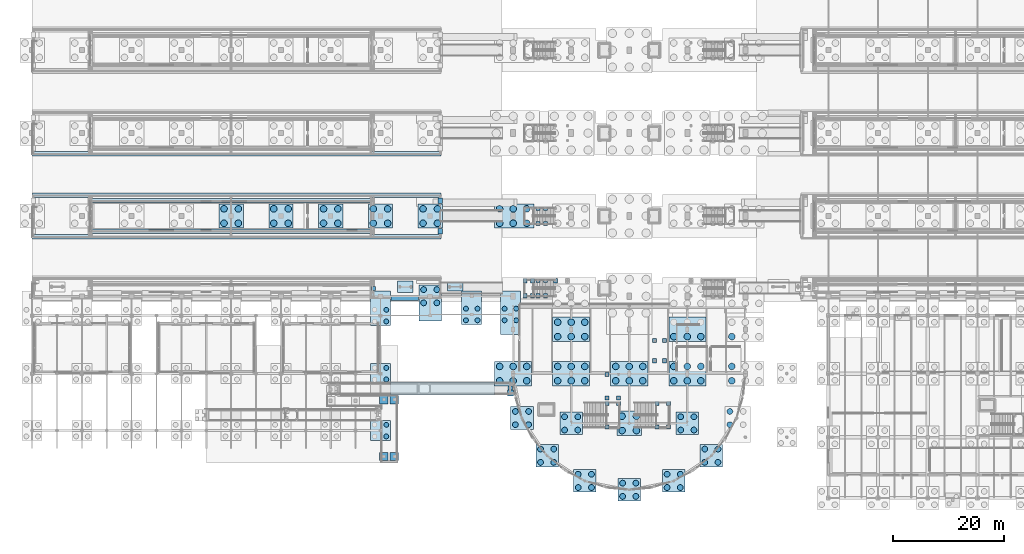
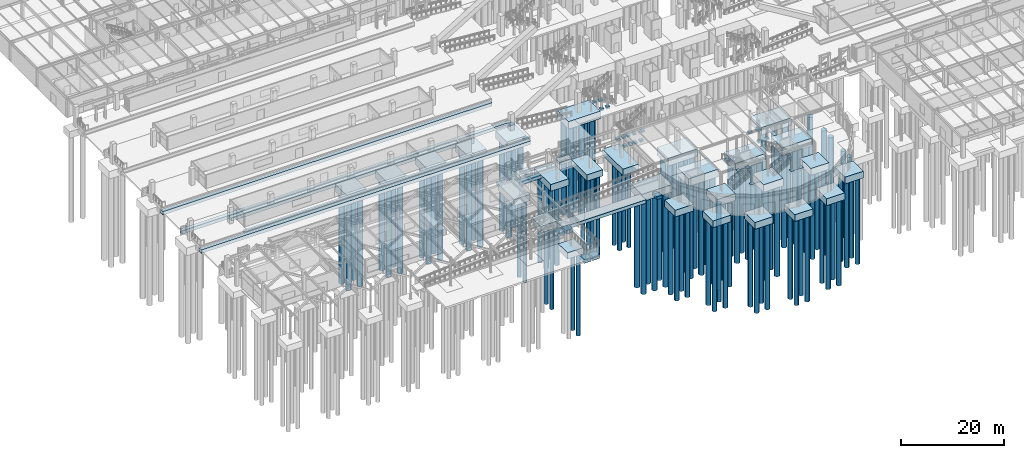
# One storey, part 2 of 160: 118 piles, 72 footings.
"""IFC4 building model written with IfcOpenShell, lengths in metres."""

from ifc_helpers import new_model, si_unit, direction, frame, origin, origin_2d, place, context, subcontext, project, spatial, rectangle, circle, extrude, material, material_profile, profile_set, type_object, element, save


model = new_model("IFC4")

# Units and contexts
model_context = context("Model", 3, precision=1e-05, world=origin(), true_north=direction((0.0, 1.0)))
body_context = subcontext(model_context, "Body", "Model", "MODEL_VIEW")
ifc_project = project(units=[si_unit("LENGTHUNIT", "METRE"), si_unit("AREAUNIT", "SQUARE_METRE"), si_unit("VOLUMEUNIT", "CUBIC_METRE"), si_unit("PLANEANGLEUNIT", "RADIAN"), si_unit("MASSUNIT", "GRAM", prefix="KILO")], contexts=[model_context])

# Site, building, storey
site_placement = place(None, origin())
site = spatial("IfcSite", under=ifc_project, at=site_placement, CompositionType="ELEMENT")
building_placement = place(site_placement, origin())
building = spatial("IfcBuilding", under=site, at=building_placement, Name="Marlcrest Central Station", CompositionType="ELEMENT")
storey_placement = place(building_placement, origin())
storey = spatial("IfcBuildingStorey", under=building, at=storey_placement, Name="L00", CompositionType="ELEMENT", Elevation=0.0)

# Piles
ifc_material_1 = material(Name="Concrete C35/45", Category="concrete")
ifc_material_profile_1 = material_profile(ifc_material_1, circle(Radius=0.449951171875, at=origin_2d()), Name="PILE D900")
ifc_profile_set_1 = profile_set([ifc_material_profile_1], Name="Concrete C35/45")
pile_type_1 = type_object("IfcPileType", Name="BP-02", PredefinedType="BORED", material=ifc_profile_set_1)
for number, where, z_axis, x_axis, name in (
    (1, (64.050048828125, 21.449951171875, -1.39990234375), (0.0, 0.0, -1.0), (1.0, 0.0, 0.0), "pile-BP-02-0412"),
    (2, (64.050048828125, 23.550048828125, -1.39990234375), (0.0, 0.0, -1.0), (1.0, 0.0, 0.0), "pile-BP-02-0414"),
    (3, (64.050048828125, 31.949951171875, -1.39990234375), (0.0, 0.0, -1.0), (1.0, 0.0, 0.0), "pile-BP-02-0416"),
    (4, (64.050048828125, 34.050048828125, -1.39990234375), (0.0, 0.0, -1.0), (1.0, 0.0, 0.0), "pile-BP-02-0418"),
    (5, (64.050048828125, 11.14990234375, -1.39990234375), (0.0, 0.0, -1.0), (1.0, 0.0, 0.0), "pile-BP-02-0420"),
    (6, (64.050048828125, 13.25, -1.39990234375), (0.0, 0.0, -1.0), (1.0, 0.0, 0.0), "pile-BP-02-0422"),
    (7, (78.449951171875, 32.14990234375, -1.39990234375), (0.0, 0.0, -1.0), (1.0, 0.0, 0.0), "pile-BP-02-0697"),
    (8, (80.550048828125, 32.14990234375, -1.39990234375), (0.0, 0.0, -1.0), (1.0, 0.0, 0.0), "pile-BP-02-0698"),
    (9, (78.449951171875, 34.25, -1.39990234375), (0.0, 0.0, -1.0), (1.0, 0.0, 0.0), "pile-BP-02-0699"),
    (10, (80.550048828125, 34.25, -1.39990234375), (0.0, 0.0, -1.0), (1.0, 0.0, 0.0), "pile-BP-02-0700"),
    (11, (85.449951171875, 32.14990234375, -1.39990234375), (0.0, 0.0, -1.0), (1.0, 0.0, 0.0), "pile-BP-02-0701"),
    (12, (87.550048828125, 32.14990234375, -1.39990234375), (0.0, 0.0, -1.0), (1.0, 0.0, 0.0), "pile-BP-02-0702"),
    (13, (85.449951171875, 34.25, -1.39990234375), (0.0, 0.0, -1.0), (1.0, 0.0, 0.0), "pile-BP-02-0703"),
    (14, (87.550048828125, 34.25, -1.39990234375), (0.0, 0.0, -1.0), (1.0, 0.0, 0.0), "pile-BP-02-0704"),
):
    element("IfcPile", number, at=place(storey_placement, frame(where, z_axis=z_axis, x_axis=x_axis)), inside=storey, type_object=pile_type_1, Name=name, PredefinedType="BORED", context=body_context, shape_type="SweptSolid", body=[
        extrude(circle(Radius=0.449951171875, at=origin_2d()), origin(), (0.0, 0.0, 1.0), 19.5),
    ])
ifc_material_profile_2 = material_profile(ifc_material_1, circle(Radius=0.52490234375, at=origin_2d()), Name="PILE D1050")
ifc_profile_set_2 = profile_set([ifc_material_profile_2], Name="Concrete C35/45")
pile_type_2 = type_object("IfcPileType", Name="BP-03", PredefinedType="BORED", material=ifc_profile_set_2)
for number, where, z_axis, x_axis, name in (
    (15, (70.800048828125, 35.300048828125, -1.5), (0.0, 0.0, -1.0), (1.0, 0.0, 0.0), "pile-BP-03-0535"),
    (16, (73.199951171875, 35.300048828125, -1.5), (0.0, 0.0, -1.0), (1.0, 0.0, 0.0), "pile-BP-03-0536"),
    (17, (70.800048828125, 37.699951171875, -1.5), (0.0, 0.0, -1.0), (1.0, 0.0, 0.0), "pile-BP-03-0537"),
    (18, (73.199951171875, 37.699951171875, -1.5), (0.0, 0.0, -1.0), (1.0, 0.0, 0.0), "pile-BP-03-0538"),
    (19, (87.39892578125, 13.263916015625, -1.5), (0.0, 0.0, -1.0), (1.0, 0.0, 0.0), "pile-BP-03-0966"),
    (20, (89.799072265625, 13.263916015625, -1.5), (0.0, 0.0, -1.0), (1.0, 0.0, 0.0), "pile-BP-03-0967"),
    (21, (87.39892578125, 15.6640625, -1.5), (0.0, 0.0, -1.0), (1.0, 0.0, 0.0), "pile-BP-03-0968"),
    (22, (89.799072265625, 15.6640625, -1.5), (0.0, 0.0, -1.0), (1.0, 0.0, 0.0), "pile-BP-03-0969"),
    (23, (91.950927734375, 6.450927734375, -1.5), (0.0, 0.0, -1.0), (1.0, 0.0, 0.0), "pile-BP-03-0970"),
    (24, (94.35107421875, 6.450927734375, -1.5), (0.0, 0.0, -1.0), (1.0, 0.0, 0.0), "pile-BP-03-0971"),
    (25, (91.950927734375, 8.85107421875, -1.5), (0.0, 0.0, -1.0), (1.0, 0.0, 0.0), "pile-BP-03-0972"),
    (26, (94.35107421875, 8.85107421875, -1.5), (0.0, 0.0, -1.0), (1.0, 0.0, 0.0), "pile-BP-03-0973"),
    (27, (98.763916015625, 1.89892578125, -1.5), (0.0, 0.0, -1.0), (1.0, 0.0, 0.0), "pile-BP-03-0974"),
    (28, (101.1640625, 1.89892578125, -1.5), (0.0, 0.0, -1.0), (1.0, 0.0, 0.0), "pile-BP-03-0975"),
    (29, (98.763916015625, 4.299072265625, -1.5), (0.0, 0.0, -1.0), (1.0, 0.0, 0.0), "pile-BP-03-0976"),
    (30, (101.1640625, 4.299072265625, -1.5), (0.0, 0.0, -1.0), (1.0, 0.0, 0.0), "pile-BP-03-0977"),
    (31, (106.800048828125, 0.300048828125, -1.5), (0.0, 0.0, -1.0), (1.0, 0.0, 0.0), "pile-BP-03-0978"),
    (32, (109.199951171875, 0.300048828125, -1.5), (0.0, 0.0, -1.0), (1.0, 0.0, 0.0), "pile-BP-03-0979"),
    (33, (106.800048828125, 2.699951171875, -1.5), (0.0, 0.0, -1.0), (1.0, 0.0, 0.0), "pile-BP-03-0980"),
    (34, (109.199951171875, 2.699951171875, -1.5), (0.0, 0.0, -1.0), (1.0, 0.0, 0.0), "pile-BP-03-0981"),
    (35, (114.8359375, 1.89892578125, -1.5), (0.0, 0.0, -1.0), (1.0, 0.0, 0.0), "pile-BP-03-0982"),
    (36, (117.236083984375, 1.89892578125, -1.5), (0.0, 0.0, -1.0), (1.0, 0.0, 0.0), "pile-BP-03-0983"),
    (37, (114.8359375, 4.299072265625, -1.5), (0.0, 0.0, -1.0), (1.0, 0.0, 0.0), "pile-BP-03-0984"),
    (38, (117.236083984375, 4.299072265625, -1.5), (0.0, 0.0, -1.0), (1.0, 0.0, 0.0), "pile-BP-03-0985"),
    (39, (121.64892578125, 6.450927734375, -1.5), (0.0, 0.0, -1.0), (1.0, 0.0, 0.0), "pile-BP-03-0986"),
    (40, (124.049072265625, 6.450927734375, -1.5), (0.0, 0.0, -1.0), (1.0, 0.0, 0.0), "pile-BP-03-0987"),
    (41, (121.64892578125, 8.85107421875, -1.5), (0.0, 0.0, -1.0), (1.0, 0.0, 0.0), "pile-BP-03-0988"),
    (42, (124.049072265625, 8.85107421875, -1.5), (0.0, 0.0, -1.0), (1.0, 0.0, 0.0), "pile-BP-03-0989"),
    (43, (126.200927734375, 13.263916015625, -1.5), (0.0, 0.0, -1.0), (1.0, 0.0, 0.0), "pile-BP-03-0990"),
    (44, (126.200927734375, 15.6640625, -1.5), (0.0, 0.0, -1.0), (1.0, 0.0, 0.0), "pile-BP-03-0992"),
    (45, (96.300048828125, 12.300048828125, -1.5), (0.0, 0.0, -1.0), (1.0, 0.0, 0.0), "pile-BP-03-0994"),
    (46, (98.699951171875, 12.300048828125, -1.5), (0.0, 0.0, -1.0), (1.0, 0.0, 0.0), "pile-BP-03-0995"),
    (47, (96.300048828125, 14.699951171875, -1.5), (0.0, 0.0, -1.0), (1.0, 0.0, 0.0), "pile-BP-03-0996"),
    (48, (98.699951171875, 14.699951171875, -1.5), (0.0, 0.0, -1.0), (1.0, 0.0, 0.0), "pile-BP-03-0997"),
    (49, (117.300048828125, 12.300048828125, -1.5), (0.0, 0.0, -1.0), (1.0, 0.0, 0.0), "pile-BP-03-1002"),
    (50, (119.699951171875, 12.300048828125, -1.5), (0.0, 0.0, -1.0), (1.0, 0.0, 0.0), "pile-BP-03-1003"),
    (51, (117.300048828125, 14.699951171875, -1.5), (0.0, 0.0, -1.0), (1.0, 0.0, 0.0), "pile-BP-03-1004"),
    (52, (119.699951171875, 14.699951171875, -1.5), (0.0, 0.0, -1.0), (1.0, 0.0, 0.0), "pile-BP-03-1005"),
):
    element("IfcPile", number, at=place(storey_placement, frame(where, z_axis=z_axis, x_axis=x_axis)), inside=storey, type_object=pile_type_2, Name=name, PredefinedType="BORED", context=body_context, shape_type="SweptSolid", body=[
        extrude(circle(Radius=0.52490234375, at=origin_2d()), origin(), (0.0, 0.0, 1.0), 20.5),
    ])
ifc_material_profile_3 = material_profile(ifc_material_1, circle(Radius=0.60009765625, at=origin_2d()), Name="PILE D1200")
ifc_profile_set_3 = profile_set([ifc_material_profile_3], Name="Concrete C35/45")
pile_type_3 = type_object("IfcPileType", Name="BP-04", PredefinedType="BORED", material=ifc_profile_set_3)
for number, where, z_axis, x_axis, name in (
    (53, (34.699951171875, 49.699951171875, -1.699951171875), (0.0, 0.0, -1.0), (1.0, 0.0, 0.0), "pile-BP-04-0479"),
    (54, (37.300048828125, 49.699951171875, -1.699951171875), (0.0, 0.0, -1.0), (1.0, 0.0, 0.0), "pile-BP-04-0480"),
    (55, (34.699951171875, 52.300048828125, -1.699951171875), (0.0, 0.0, -1.0), (1.0, 0.0, 0.0), "pile-BP-04-0481"),
    (56, (37.300048828125, 52.300048828125, -1.699951171875), (0.0, 0.0, -1.0), (1.0, 0.0, 0.0), "pile-BP-04-0482"),
    (57, (43.699951171875, 49.699951171875, -1.699951171875), (0.0, 0.0, -1.0), (1.0, 0.0, 0.0), "pile-BP-04-0493"),
    (58, (46.300048828125, 49.699951171875, -1.699951171875), (0.0, 0.0, -1.0), (1.0, 0.0, 0.0), "pile-BP-04-0494"),
    (59, (43.699951171875, 52.300048828125, -1.699951171875), (0.0, 0.0, -1.0), (1.0, 0.0, 0.0), "pile-BP-04-0495"),
    (60, (46.300048828125, 52.300048828125, -1.699951171875), (0.0, 0.0, -1.0), (1.0, 0.0, 0.0), "pile-BP-04-0496"),
    (61, (52.699951171875, 49.699951171875, -1.699951171875), (0.0, 0.0, -1.0), (1.0, 0.0, 0.0), "pile-BP-04-0507"),
    (62, (55.300048828125, 49.699951171875, -1.699951171875), (0.0, 0.0, -1.0), (1.0, 0.0, 0.0), "pile-BP-04-0508"),
    (63, (52.699951171875, 52.300048828125, -1.699951171875), (0.0, 0.0, -1.0), (1.0, 0.0, 0.0), "pile-BP-04-0509"),
    (64, (55.300048828125, 52.300048828125, -1.699951171875), (0.0, 0.0, -1.0), (1.0, 0.0, 0.0), "pile-BP-04-0510"),
    (65, (61.699951171875, 49.699951171875, -1.699951171875), (0.0, 0.0, -1.0), (1.0, 0.0, 0.0), "pile-BP-04-0521"),
    (66, (64.300048828125, 49.699951171875, -1.699951171875), (0.0, 0.0, -1.0), (1.0, 0.0, 0.0), "pile-BP-04-0522"),
    (67, (61.699951171875, 52.300048828125, -1.699951171875), (0.0, 0.0, -1.0), (1.0, 0.0, 0.0), "pile-BP-04-0523"),
    (68, (64.300048828125, 52.300048828125, -1.699951171875), (0.0, 0.0, -1.0), (1.0, 0.0, 0.0), "pile-BP-04-0524"),
    (69, (70.699951171875, 49.699951171875, -1.699951171875), (0.0, 0.0, -1.0), (1.0, 0.0, 0.0), "pile-BP-04-0539"),
    (70, (73.300048828125, 49.699951171875, -1.699951171875), (0.0, 0.0, -1.0), (1.0, 0.0, 0.0), "pile-BP-04-0540"),
    (71, (70.699951171875, 52.300048828125, -1.699951171875), (0.0, 0.0, -1.0), (1.0, 0.0, 0.0), "pile-BP-04-0541"),
    (72, (73.300048828125, 52.300048828125, -1.699951171875), (0.0, 0.0, -1.0), (1.0, 0.0, 0.0), "pile-BP-04-0542"),
):
    element("IfcPile", number, at=place(storey_placement, frame(where, z_axis=z_axis, x_axis=x_axis)), inside=storey, type_object=pile_type_3, Name=name, PredefinedType="BORED", context=body_context, shape_type="SweptSolid", body=[
        extrude(circle(Radius=0.60009765625, at=origin_2d()), origin(), (0.0, 0.0, 1.0), 21.5),
    ])
for number, where, z_axis, x_axis, name in (
    (73, (84.550048828125, 49.699951171875, -1.699951171875), (0.0, 0.0, -1.0), (1.0, 0.0, 0.0), "pile-BP-04-0707"),
    (74, (87.0, 49.699951171875, -1.699951171875), (0.0, 0.0, -1.0), (1.0, 0.0, 0.0), "pile-BP-04-0708"),
    (75, (89.449951171875, 49.699951171875, -1.699951171875), (0.0, 0.0, -1.0), (1.0, 0.0, 0.0), "pile-BP-04-0709"),
    (76, (84.550048828125, 52.300048828125, -1.699951171875), (0.0, 0.0, -1.0), (1.0, 0.0, 0.0), "pile-BP-04-0710"),
    (77, (87.0, 52.300048828125, -1.699951171875), (0.0, 0.0, -1.0), (1.0, 0.0, 0.0), "pile-BP-04-0711"),
    (78, (89.449951171875, 52.300048828125, -1.699951171875), (0.0, 0.0, -1.0), (1.0, 0.0, 0.0), "pile-BP-04-0712"),
    (79, (84.550048828125, 21.199951171875, -1.699951171875), (0.0, 0.0, -1.0), (1.0, 0.0, 0.0), "pile-BP-04-0863"),
    (80, (87.0, 21.199951171875, -1.699951171875), (0.0, 0.0, -1.0), (1.0, 0.0, 0.0), "pile-BP-04-0864"),
    (81, (89.449951171875, 21.199951171875, -1.699951171875), (0.0, 0.0, -1.0), (1.0, 0.0, 0.0), "pile-BP-04-0865"),
    (82, (84.550048828125, 23.800048828125, -1.699951171875), (0.0, 0.0, -1.0), (1.0, 0.0, 0.0), "pile-BP-04-0866"),
    (83, (87.0, 23.800048828125, -1.699951171875), (0.0, 0.0, -1.0), (1.0, 0.0, 0.0), "pile-BP-04-0867"),
    (84, (89.449951171875, 23.800048828125, -1.699951171875), (0.0, 0.0, -1.0), (1.0, 0.0, 0.0), "pile-BP-04-0868"),
    (85, (95.050048828125, 21.199951171875, -1.699951171875), (0.0, 0.0, -1.0), (1.0, 0.0, 0.0), "pile-BP-04-0869"),
    (86, (97.5, 21.199951171875, -1.699951171875), (0.0, 0.0, -1.0), (1.0, 0.0, 0.0), "pile-BP-04-0870"),
    (87, (99.949951171875, 21.199951171875, -1.699951171875), (0.0, 0.0, -1.0), (1.0, 0.0, 0.0), "pile-BP-04-0871"),
    (88, (95.050048828125, 23.800048828125, -1.699951171875), (0.0, 0.0, -1.0), (1.0, 0.0, 0.0), "pile-BP-04-0872"),
    (89, (97.5, 23.800048828125, -1.699951171875), (0.0, 0.0, -1.0), (1.0, 0.0, 0.0), "pile-BP-04-0873"),
    (90, (99.949951171875, 23.800048828125, -1.699951171875), (0.0, 0.0, -1.0), (1.0, 0.0, 0.0), "pile-BP-04-0874"),
    (91, (105.550048828125, 21.199951171875, -1.699951171875), (0.0, 0.0, -1.0), (1.0, 0.0, 0.0), "pile-BP-04-0875"),
    (92, (108.0, 21.199951171875, -1.699951171875), (0.0, 0.0, -1.0), (1.0, 0.0, 0.0), "pile-BP-04-0876"),
    (93, (110.449951171875, 21.199951171875, -1.699951171875), (0.0, 0.0, -1.0), (1.0, 0.0, 0.0), "pile-BP-04-0877"),
    (94, (105.550048828125, 23.800048828125, -1.699951171875), (0.0, 0.0, -1.0), (1.0, 0.0, 0.0), "pile-BP-04-0878"),
    (95, (108.0, 23.800048828125, -1.699951171875), (0.0, 0.0, -1.0), (1.0, 0.0, 0.0), "pile-BP-04-0879"),
    (96, (110.449951171875, 23.800048828125, -1.699951171875), (0.0, 0.0, -1.0), (1.0, 0.0, 0.0), "pile-BP-04-0880"),
    (97, (116.050048828125, 21.199951171875, -1.699951171875), (0.0, 0.0, -1.0), (1.0, 0.0, 0.0), "pile-BP-04-0881"),
    (98, (118.5, 21.199951171875, -1.699951171875), (0.0, 0.0, -1.0), (1.0, 0.0, 0.0), "pile-BP-04-0882"),
    (99, (120.949951171875, 21.199951171875, -1.699951171875), (0.0, 0.0, -1.0), (1.0, 0.0, 0.0), "pile-BP-04-0883"),
    (100, (116.050048828125, 23.800048828125, -1.699951171875), (0.0, 0.0, -1.0), (1.0, 0.0, 0.0), "pile-BP-04-0884"),
    (101, (118.5, 23.800048828125, -1.699951171875), (0.0, 0.0, -1.0), (1.0, 0.0, 0.0), "pile-BP-04-0885"),
    (102, (120.949951171875, 23.800048828125, -1.699951171875), (0.0, 0.0, -1.0), (1.0, 0.0, 0.0), "pile-BP-04-0886"),
    (103, (126.550048828125, 21.199951171875, -1.699951171875), (0.0, 0.0, -1.0), (1.0, 0.0, 0.0), "pile-BP-04-0887"),
    (104, (126.550048828125, 23.800048828125, -1.699951171875), (0.0, 0.0, -1.0), (1.0, 0.0, 0.0), "pile-BP-04-0890"),
    (105, (95.050048828125, 29.199951171875, -1.699951171875), (0.0, 0.0, -1.0), (1.0, 0.0, 0.0), "pile-BP-04-0893"),
    (106, (97.5, 29.199951171875, -1.699951171875), (0.0, 0.0, -1.0), (1.0, 0.0, 0.0), "pile-BP-04-0894"),
    (107, (99.949951171875, 29.199951171875, -1.699951171875), (0.0, 0.0, -1.0), (1.0, 0.0, 0.0), "pile-BP-04-0895"),
    (108, (95.050048828125, 31.800048828125, -1.699951171875), (0.0, 0.0, -1.0), (1.0, 0.0, 0.0), "pile-BP-04-0896"),
    (109, (97.5, 31.800048828125, -1.699951171875), (0.0, 0.0, -1.0), (1.0, 0.0, 0.0), "pile-BP-04-0897"),
    (110, (99.949951171875, 31.800048828125, -1.699951171875), (0.0, 0.0, -1.0), (1.0, 0.0, 0.0), "pile-BP-04-0898"),
    (111, (116.050048828125, 29.199951171875, -1.699951171875), (0.0, 0.0, -1.0), (1.0, 0.0, 0.0), "pile-BP-04-0899"),
    (112, (118.5, 29.199951171875, -1.699951171875), (0.0, 0.0, -1.0), (1.0, 0.0, 0.0), "pile-BP-04-0900"),
    (113, (120.949951171875, 29.199951171875, -1.699951171875), (0.0, 0.0, -1.0), (1.0, 0.0, 0.0), "pile-BP-04-0901"),
    (114, (126.550048828125, 29.199951171875, -1.699951171875), (0.0, 0.0, -1.0), (1.0, 0.0, 0.0), "pile-BP-04-0905"),
):
    element("IfcPile", number, at=place(storey_placement, frame(where, z_axis=z_axis, x_axis=x_axis)), inside=storey, type_object=pile_type_3, Name=name, PredefinedType="BORED", context=body_context, shape_type="SweptSolid", body=[
        extrude(circle(Radius=0.60009765625, at=origin_2d()), origin(), (0.0, 0.0, 1.0), 22.5),
    ])
for number, where, z_axis, x_axis, name in (
    (115, (106.699951171875, 12.199951171875, -1.699951171875), (0.0, 0.0, -1.0), (1.0, 0.0, 0.0), "pile-BP-04-0998"),
    (116, (109.300048828125, 12.199951171875, -1.699951171875), (0.0, 0.0, -1.0), (1.0, 0.0, 0.0), "pile-BP-04-0999"),
    (117, (106.699951171875, 14.800048828125, -1.699951171875), (0.0, 0.0, -1.0), (1.0, 0.0, 0.0), "pile-BP-04-1000"),
    (118, (109.300048828125, 14.800048828125, -1.699951171875), (0.0, 0.0, -1.0), (1.0, 0.0, 0.0), "pile-BP-04-1001"),
):
    element("IfcPile", number, at=place(storey_placement, frame(where, z_axis=z_axis, x_axis=x_axis)), inside=storey, type_object=pile_type_3, Name=name, PredefinedType="BORED", context=body_context, shape_type="SweptSolid", body=[
        extrude(circle(Radius=0.60009765625, at=origin_2d()), origin(), (0.0, 0.0, 1.0), 21.5),
    ])

# Footings
ifc_material_2 = material(Name="Concrete C40/50", Category="concrete")
footing_type_1 = type_object("IfcFootingType", Name="PC-02", PredefinedType="PILE_CAP", material=ifc_material_2)
footing_1_placement = place(storey_placement, frame((63.0, 22.5, -1.5), z_axis=(0.0, 0.0, 1.0), x_axis=(1.0, 0.0, 0.0)))
element("IfcFooting", 119, at=footing_1_placement, inside=storey, type_object=footing_type_1, Name="ftg-cap-0105", PredefinedType="PILE_CAP", context=body_context, shape_type="SweptSolid", body=[
    extrude(rectangle(XDim=3.60009765625, YDim=3.60009765625, at=origin_2d()), origin(), (0.0, 0.0, 1.0), 1.5),
])
footing_2_placement = place(storey_placement, frame((63.0, 34.324951171875, -1.5), z_axis=(0.0, 0.0, 1.0), x_axis=(1.0, 0.0, 0.0)))
element("IfcFooting", 120, at=footing_2_placement, inside=storey, type_object=footing_type_1, Name="ftg-cap-0106", PredefinedType="PILE_CAP", context=body_context, shape_type="SweptSolid", body=[
    extrude(rectangle(XDim=3.60009765625, YDim=6.25, at=origin_2d()), origin(), (0.0, 0.0, 1.0), 1.5),
])
footing_3_placement = place(storey_placement, frame((63.0, 12.199951171875, -1.5), z_axis=(0.0, 0.0, 1.0), x_axis=(1.0, 0.0, 0.0)))
element("IfcFooting", 121, at=footing_3_placement, inside=storey, type_object=footing_type_1, Name="ftg-cap-0107", PredefinedType="PILE_CAP", context=body_context, shape_type="SweptSolid", body=[
    extrude(rectangle(XDim=3.60009765625, YDim=3.60009765625, at=origin_2d()), origin(), (0.0, 0.0, 1.0), 1.5),
])
footing_4_placement = place(storey_placement, frame((79.5, 34.425048828125, -1.5), z_axis=(0.0, 0.0, 1.0), x_axis=(1.0, 0.0, 0.0)))
element("IfcFooting", 122, at=footing_4_placement, inside=storey, type_object=footing_type_1, Name="ftg-cap-0181", PredefinedType="PILE_CAP", context=body_context, shape_type="SweptSolid", body=[
    extrude(rectangle(XDim=3.60009765625, YDim=6.050048828125, at=origin_2d()), origin(), (0.0, 0.0, 1.0), 1.5),
])
footing_5_placement = place(storey_placement, frame((86.5, 33.5, -1.5), z_axis=(0.0, 0.0, 1.0), x_axis=(1.0, 0.0, 0.0)))
element("IfcFooting", 123, at=footing_5_placement, inside=storey, type_object=footing_type_1, Name="ftg-cap-0182", PredefinedType="PILE_CAP", context=body_context, shape_type="SweptSolid", body=[
    extrude(rectangle(XDim=3.60009765625, YDim=7.89990234375, at=origin_2d()), origin(), (0.0, 0.0, 1.0), 1.5),
])
footing_type_2 = type_object("IfcFootingType", Name="PC-03", PredefinedType="PILE_CAP", material=ifc_material_2)
footing_6_placement = place(storey_placement, frame((72.0, 35.300048828125, -1.60009765625), z_axis=(0.0, 0.0, 1.0), x_axis=(1.0, 0.0, 0.0)))
element("IfcFooting", 124, at=footing_6_placement, inside=storey, type_object=footing_type_2, Name="ftg-cap-0140", PredefinedType="PILE_CAP", context=body_context, shape_type="SweptSolid", body=[
    extrude(rectangle(XDim=4.10009765625, YDim=6.5, at=origin_2d()), origin(), (0.0, 0.0, 1.0), 1.60009765625),
])
for number, where, z_axis, x_axis, name in (
    (125, (88.59912109375, 14.464111328125, -1.60009765625), (0.0, 0.0, 1.0), (1.0, 0.0, 0.0), "ftg-cap-0225"),
    (126, (93.15087890625, 7.65087890625, -1.60009765625), (0.0, 0.0, 1.0), (1.0, 0.0, 0.0), "ftg-cap-0226"),
    (127, (99.964111328125, 3.09912109375, -1.60009765625), (0.0, 0.0, 1.0), (1.0, 0.0, 0.0), "ftg-cap-0227"),
    (128, (108.0, 1.5, -1.60009765625), (0.0, 0.0, 1.0), (1.0, 0.0, 0.0), "ftg-cap-0228"),
    (129, (116.035888671875, 3.09912109375, -1.60009765625), (0.0, 0.0, 1.0), (1.0, 0.0, 0.0), "ftg-cap-0229"),
    (130, (122.84912109375, 7.65087890625, -1.60009765625), (0.0, 0.0, 1.0), (1.0, 0.0, 0.0), "ftg-cap-0230"),
    (131, (97.5, 13.5, -1.60009765625), (0.0, 0.0, 1.0), (1.0, 0.0, 0.0), "ftg-cap-0232"),
    (132, (118.5, 13.5, -1.60009765625), (0.0, 0.0, 1.0), (1.0, 0.0, 0.0), "ftg-cap-0234"),
):
    element("IfcFooting", number, at=place(storey_placement, frame(where, z_axis=z_axis, x_axis=x_axis)), inside=storey, type_object=footing_type_2, Name=name, PredefinedType="PILE_CAP", context=body_context, shape_type="SweptSolid", body=[
        extrude(rectangle(XDim=4.10009765625, YDim=4.10009765625, at=origin_2d()), origin(), (0.0, 0.0, 1.0), 1.60009765625),
    ])
footing_type_3 = type_object("IfcFootingType", Name="PC-04", PredefinedType="PILE_CAP", material=ifc_material_2)
for number, where, z_axis, x_axis, name in (
    (133, (36.0, 51.0, -1.7998046875), (0.0, 0.0, 1.0), (1.0, 0.0, 0.0), "ftg-cap-0124"),
    (134, (45.0, 51.0, -1.7998046875), (0.0, 0.0, 1.0), (1.0, 0.0, 0.0), "ftg-cap-0128"),
    (135, (54.0, 51.0, -1.7998046875), (0.0, 0.0, 1.0), (1.0, 0.0, 0.0), "ftg-cap-0132"),
    (136, (63.0, 51.0, -1.7998046875), (0.0, 0.0, 1.0), (1.0, 0.0, 0.0), "ftg-cap-0136"),
    (137, (72.0, 51.0, -1.7998046875), (0.0, 0.0, 1.0), (1.0, 0.0, 0.0), "ftg-cap-0141"),
    (138, (108.0, 13.5, -1.7998046875), (0.0, 0.0, 1.0), (1.0, 0.0, 0.0), "ftg-cap-0233"),
):
    element("IfcFooting", number, at=place(storey_placement, frame(where, z_axis=z_axis, x_axis=x_axis)), inside=storey, type_object=footing_type_3, Name=name, PredefinedType="PILE_CAP", context=body_context, shape_type="SweptSolid", body=[
        extrude(rectangle(XDim=4.39990234375, YDim=4.39990234375, at=origin_2d()), origin(), (0.0, 0.0, 1.0), 1.800048828125),
    ])
footing_type_4 = type_object("IfcFootingType", Name="PC-05", PredefinedType="PILE_CAP", material=ifc_material_2)
footing_7_placement = place(storey_placement, frame((87.2099609375, 51.0, -1.7998046875), z_axis=(0.0, 0.0, 1.0), x_axis=(1.0, 0.0, 0.0)))
element("IfcFooting", 139, at=footing_7_placement, inside=storey, type_object=footing_type_4, Name="ftg-cap-0184", PredefinedType="PILE_CAP", context=body_context, shape_type="SweptSolid", body=[
    extrude(rectangle(XDim=7.1201171875, YDim=4.39990234375, at=origin_2d()), origin(), (0.0, 0.0, 1.0), 1.800048828125),
])
for number, where, z_axis, x_axis, name in (
    (140, (87.0, 22.5, -1.7998046875), (0.0, 0.0, 1.0), (1.0, 0.0, 0.0), "ftg-cap-0207"),
    (141, (97.5, 22.5, -1.7998046875), (0.0, 0.0, 1.0), (1.0, 0.0, 0.0), "ftg-cap-0208"),
    (142, (108.0, 22.5, -1.7998046875), (0.0, 0.0, 1.0), (1.0, 0.0, 0.0), "ftg-cap-0209"),
    (143, (118.5, 22.5, -1.7998046875), (0.0, 0.0, 1.0), (1.0, 0.0, 0.0), "ftg-cap-0210"),
    (144, (97.5, 30.5, -1.7998046875), (0.0, 0.0, 1.0), (1.0, 0.0, 0.0), "ftg-cap-0212"),
    (145, (118.5, 30.5, -1.7998046875), (0.0, 0.0, 1.0), (1.0, 0.0, 0.0), "ftg-cap-0213"),
):
    element("IfcFooting", number, at=place(storey_placement, frame(where, z_axis=z_axis, x_axis=x_axis)), inside=storey, type_object=footing_type_4, Name=name, PredefinedType="PILE_CAP", context=body_context, shape_type="SweptSolid", body=[
        extrude(rectangle(XDim=6.699951171875, YDim=4.39990234375, at=origin_2d()), origin(), (0.0, 0.0, 1.0), 1.800048828125),
    ])
footing_type_5 = type_object("IfcFootingType", Name="PF-02", PredefinedType="PAD_FOOTING", material=ifc_material_2)
for number, where, z_axis, x_axis, name in (
    (146, (63.60009765625, 7.5, -0.89990234375), (0.0, 0.0, 1.0), (1.0, 0.0, 0.0), "ftg-rmp-636-75"),
    (147, (65.5, 7.5, -0.89990234375), (0.0, 0.0, 1.0), (1.0, 0.0, 0.0), "ftg-rmp-655-75"),
    (148, (63.60009765625, 17.800048828125, -0.89990234375), (0.0, 0.0, 1.0), (1.0, 0.0, 0.0), "ftg-rmp-636-178"),
    (149, (65.5, 17.800048828125, -0.89990234375), (0.0, 0.0, 1.0), (1.0, 0.0, 0.0), "ftg-rmp-655-178"),
):
    element("IfcFooting", number, at=place(storey_placement, frame(where, z_axis=z_axis, x_axis=x_axis)), inside=storey, type_object=footing_type_5, Name=name, PredefinedType="PAD_FOOTING", context=body_context, shape_type="SweptSolid", body=[
        extrude(rectangle(XDim=1.5, YDim=1.5, at=origin_2d()), origin(), (0.0, 0.0, 1.0), 0.89990234375),
    ])
footing_8_placement = place(storey_placement, frame((67.5, 38.199951171875, -0.650146484375), z_axis=(0.0, 0.0, 1.0), x_axis=(1.0, 0.0, 0.0)))
element("IfcFooting", 150, at=footing_8_placement, inside=storey, type_object=footing_type_5, Name="ftg-pad-ap-1-0", PredefinedType="PAD_FOOTING", context=body_context, shape_type="SweptSolid", body=[
    extrude(rectangle(XDim=2.800048828125, YDim=2.10009765625, at=origin_2d()), origin(), (0.0, 0.0, 1.0), 0.85009765625),
])
footing_9_placement = place(storey_placement, frame((86.550048828125, 19.0, -0.9501953125), z_axis=(0.0, 0.0, 1.0), x_axis=(1.0, 0.0, 0.0)))
element("IfcFooting", 151, at=footing_9_placement, inside=storey, type_object=footing_type_5, Name="ftg-rmp-padfix-007", PredefinedType="PAD_FOOTING", context=body_context, shape_type="SweptSolid", body=[
    extrude(rectangle(XDim=1.10009765625, YDim=1.10009765625, at=origin_2d()), origin(), (0.0, 0.0, 1.0), 0.699951171875),
])
footing_type_6 = type_object("IfcFootingType", Name="PF-03", PredefinedType="PAD_FOOTING", material=ifc_material_2)
footing_10_placement = place(storey_placement, frame((76.5, 38.199951171875, -0.449951171875), z_axis=(0.0, 0.0, 1.0), x_axis=(1.0, 0.0, 0.0)))
element("IfcFooting", 152, at=footing_10_placement, inside=storey, type_object=footing_type_6, Name="ftg-pad-ap-2-0", PredefinedType="PAD_FOOTING", context=body_context, shape_type="SweptSolid", body=[
    extrude(rectangle(XDim=2.800048828125, YDim=1.5, at=origin_2d()), origin(), (0.0, 0.0, 1.0), 0.64990234375),
])
for number, where, z_axis, x_axis, name in (
    (153, (94.679931640625, 39.300048828125, -0.43994140625), (0.0, 0.0, 1.0), (1.0, 0.0, 0.0), "stftg-tr-0001-946-393"),
    (154, (89.169921875, 36.60009765625, -0.43994140625), (0.0, 0.0, 1.0), (1.0, 0.0, 0.0), "stftg-lo-0002-891-366"),
    (155, (89.169921875, 39.300048828125, -0.43994140625), (0.0, 0.0, 1.0), (1.0, 0.0, 0.0), "stftg-lo-0002-891-393"),
    (156, (90.489990234375, 36.60009765625, -0.43994140625), (0.0, 0.0, 1.0), (1.0, 0.0, 0.0), "stftg-lo-0002-904-366"),
    (157, (90.489990234375, 39.300048828125, -0.43994140625), (0.0, 0.0, 1.0), (1.0, 0.0, 0.0), "stftg-lo-0002-904-393"),
    (158, (91.5, 36.580078125, -0.43994140625), (0.0, 0.0, 1.0), (1.0, 0.0, 0.0), "stftg-hi0-0003-915-365"),
    (159, (91.5, 39.320068359375, -0.43994140625), (0.0, 0.0, 1.0), (1.0, 0.0, 0.0), "stftg-hi0-0003-915-393"),
    (160, (92.860107421875, 36.580078125, -0.43994140625), (0.0, 0.0, 1.0), (1.0, 0.0, 0.0), "stftg-hi0-0003-928-365"),
    (161, (92.860107421875, 39.320068359375, -0.43994140625), (0.0, 0.0, 1.0), (1.0, 0.0, 0.0), "stftg-hi0-0003-928-393"),
    (162, (91.5, 49.6298828125, -0.43994140625), (0.0, 0.0, 1.0), (1.0, 0.0, 0.0), "stftg-hi0-0009-915-496"),
    (163, (91.5, 52.3701171875, -0.43994140625), (0.0, 0.0, 1.0), (1.0, 0.0, 0.0), "stftg-hi0-0009-915-523"),
    (164, (92.860107421875, 49.6298828125, -0.43994140625), (0.0, 0.0, 1.0), (1.0, 0.0, 0.0), "stftg-hi0-0009-928-496"),
    (165, (92.860107421875, 52.3701171875, -0.43994140625), (0.0, 0.0, 1.0), (1.0, 0.0, 0.0), "stftg-hi0-0009-928-523"),
    (166, (103.989990234375, 12.8798828125, -0.43994140625), (0.0, 0.0, 1.0), (1.0, 0.0, 0.0), "htftg-0031-0"),
    (167, (106.070068359375, 17.1201171875, -0.43994140625), (0.0, 0.0, 1.0), (1.0, 0.0, 0.0), "htftg-0031-2"),
    (168, (103.989990234375, 17.1201171875, -0.43994140625), (0.0, 0.0, 1.0), (1.0, 0.0, 0.0), "htftg-0031-3"),
    (169, (112.989990234375, 12.8798828125, -0.43994140625), (0.0, 0.0, 1.0), (1.0, 0.0, 0.0), "htftg-0032-0"),
    (170, (115.070068359375, 12.8798828125, -0.43994140625), (0.0, 0.0, 1.0), (1.0, 0.0, 0.0), "htftg-0032-1"),
    (171, (115.070068359375, 17.1201171875, -0.43994140625), (0.0, 0.0, 1.0), (1.0, 0.0, 0.0), "htftg-0032-2"),
    (172, (112.989990234375, 17.1201171875, -0.43994140625), (0.0, 0.0, 1.0), (1.0, 0.0, 0.0), "htftg-0032-3"),
    (173, (103.989990234375, 18.080078125, -0.43994140625), (0.0, 0.0, 1.0), (1.0, 0.0, 0.0), "htftg-s11-0033-0"),
    (174, (106.070068359375, 18.080078125, -0.43994140625), (0.0, 0.0, 1.0), (1.0, 0.0, 0.0), "htftg-s11-0033-1"),
    (175, (103.989990234375, 22.320068359375, -0.43994140625), (0.0, 0.0, 1.0), (1.0, 0.0, 0.0), "htftg-s11-0033-3"),
    (176, (112.590087890625, 24.830078125, -0.43994140625), (0.0, 0.0, 1.0), (1.0, 0.0, 0.0), "htftg-0035-0"),
    (177, (114.3701171875, 24.830078125, -0.43994140625), (0.0, 0.0, 1.0), (1.0, 0.0, 0.0), "htftg-0035-1"),
    (178, (114.3701171875, 28.469970703125, -0.43994140625), (0.0, 0.0, 1.0), (1.0, 0.0, 0.0), "htftg-0035-2"),
    (179, (112.590087890625, 28.469970703125, -0.43994140625), (0.0, 0.0, 1.0), (1.0, 0.0, 0.0), "htftg-0035-3"),
):
    element("IfcFooting", number, at=place(storey_placement, frame(where, z_axis=z_axis, x_axis=x_axis)), inside=storey, type_object=footing_type_6, Name=name, PredefinedType="PAD_FOOTING", context=body_context, shape_type="SweptSolid", body=[
        extrude(rectangle(XDim=0.75, YDim=0.75, at=origin_2d()), origin(), (0.0, 0.0, 1.0), 0.43994140625),
    ])
footing_type_7 = type_object("IfcFootingType", Name="SF-01", PredefinedType="STRIP_FOOTING", material=ifc_material_2)
footing_11_placement = place(storey_placement, frame((67.375, 36.14990234375, -0.7998046875), z_axis=(0.0, 0.0, 1.0), x_axis=(1.0, 0.0, 0.0)))
element("IfcFooting", 180, at=footing_11_placement, inside=storey, type_object=footing_type_7, Name="ftg-pw-0008", PredefinedType="STRIP_FOOTING", context=body_context, shape_type="SweptSolid", body=[
    extrude(rectangle(XDim=5.010009765625, YDim=0.85009765625, at=origin_2d()), origin(), (0.0, 0.0, 1.0), 0.800048828125),
])
footing_12_placement = place(storey_placement, frame((61.699951171875, 37.887939453125, -0.7998046875), z_axis=(0.0, 0.0, 1.0), x_axis=(1.0, 0.0, 0.0)))
element("IfcFooting", 181, at=footing_12_placement, inside=storey, type_object=footing_type_7, Name="ftg-pw-0020", PredefinedType="STRIP_FOOTING", context=body_context, shape_type="SweptSolid", body=[
    extrude(rectangle(XDim=0.85009765625, YDim=0.735107421875, at=origin_2d()), origin(), (0.0, 0.0, 1.0), 0.800048828125),
])
for number, where, z_axis, x_axis, name in (
    (182, (37.0, 47.25, -0.7998046875), (0.0, 0.0, 1.0), (1.0, 0.0, 0.0), "ftg-pw-0044"),
    (183, (37.0, 54.75, -0.7998046875), (0.0, 0.0, 1.0), (1.0, 0.0, 0.0), "ftg-pw-0045"),
):
    element("IfcFooting", number, at=place(storey_placement, frame(where, z_axis=z_axis, x_axis=x_axis)), inside=storey, type_object=footing_type_7, Name=name, PredefinedType="STRIP_FOOTING", context=body_context, shape_type="SweptSolid", body=[
        extrude(rectangle(XDim=73.9599609375, YDim=0.85009765625, at=origin_2d()), origin(), (0.0, 0.0, 1.0), 0.800048828125),
    ])
for number, where, z_axis, x_axis, name in (
    (184, (36.0, 48.25, -0.7998046875), (0.0, 0.0, 1.0), (1.0, 0.0, 0.0), "ftg-pw-0046"),
    (185, (36.0, 53.75, -0.7998046875), (0.0, 0.0, 1.0), (1.0, 0.0, 0.0), "ftg-pw-0047"),
):
    element("IfcFooting", number, at=place(storey_placement, frame(where, z_axis=z_axis, x_axis=x_axis)), inside=storey, type_object=footing_type_7, Name=name, PredefinedType="STRIP_FOOTING", context=body_context, shape_type="SweptSolid", body=[
        extrude(rectangle(XDim=50.9599609375, YDim=0.85009765625, at=origin_2d()), origin(), (0.0, 0.0, 1.0), 0.800048828125),
    ])
for number, where, z_axis, x_axis, name in (
    (186, (73.800048828125, 48.237060546875, -0.7998046875), (0.0, 0.0, 1.0), (1.0, 0.0, 0.0), "ftg-pw-0050"),
    (187, (73.800048828125, 53.762939453125, -0.7998046875), (0.0, 0.0, 1.0), (1.0, 0.0, 0.0), "ftg-pw-0051"),
):
    element("IfcFooting", number, at=place(storey_placement, frame(where, z_axis=z_axis, x_axis=x_axis)), inside=storey, type_object=footing_type_7, Name=name, PredefinedType="STRIP_FOOTING", context=body_context, shape_type="SweptSolid", body=[
        extrude(rectangle(XDim=0.85009765625, YDim=0.985107421875, at=origin_2d()), origin(), (0.0, 0.0, 1.0), 0.800048828125),
    ])
footing_13_placement = place(storey_placement, frame((37.0, 62.25, -0.7998046875), z_axis=(0.0, 0.0, 1.0), x_axis=(1.0, 0.0, 0.0)))
element("IfcFooting", 188, at=footing_13_placement, inside=storey, type_object=footing_type_7, Name="ftg-pw-0062", PredefinedType="STRIP_FOOTING", context=body_context, shape_type="SweptSolid", body=[
    extrude(rectangle(XDim=73.9599609375, YDim=0.85009765625, at=origin_2d()), origin(), (0.0, 0.0, 1.0), 0.800048828125),
])
footing_14_placement = place(storey_placement, frame((74.22509765625, 19.800048828125, -1.0498046875), z_axis=(0.0, 0.0, 1.0), x_axis=(1.0, 0.0, 0.0)))
element("IfcFooting", 189, at=footing_14_placement, inside=storey, type_object=footing_type_7, Name="ftg-rmp-str-2", PredefinedType="STRIP_FOOTING", context=body_context, shape_type="SweptSolid", body=[
    extrude(rectangle(XDim=18.840087890625, YDim=2.300048828125, at=origin_2d()), origin(), (0.0, 0.0, 1.0), 0.800048828125),
])
footing_15_placement = place(storey_placement, frame((86.449951171875, 19.925048828125, -1.0498046875), z_axis=(0.0, 0.0, 1.0), x_axis=(1.0, 0.0, 0.0)))
element("IfcFooting", 190, at=footing_15_placement, inside=storey, type_object=footing_type_7, Name="ftg-wall-padfix-008", PredefinedType="STRIP_FOOTING", context=body_context, shape_type="SweptSolid", body=[
    extrude(rectangle(XDim=0.840087890625, YDim=0.72998046875, at=origin_2d()), origin(), (0.0, 0.0, 1.0), 0.800048828125),
])

save(model, "model.ifc")
